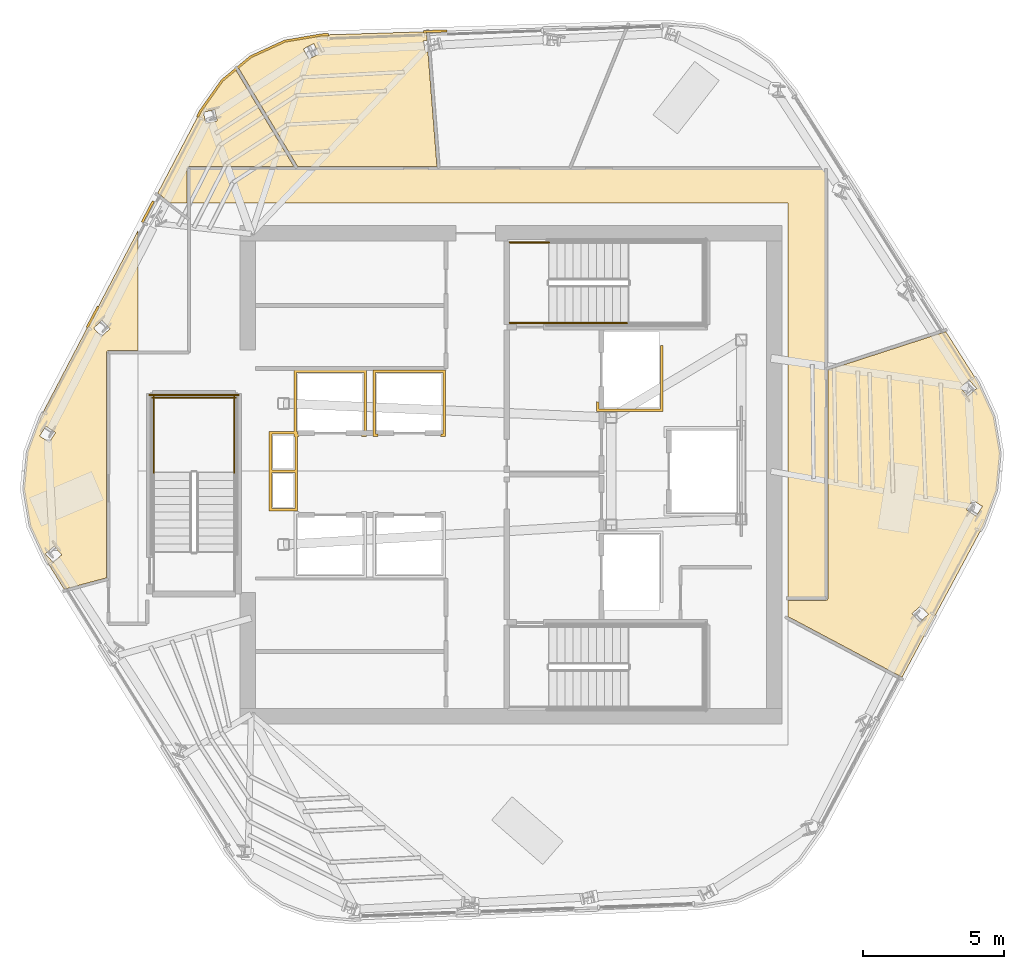
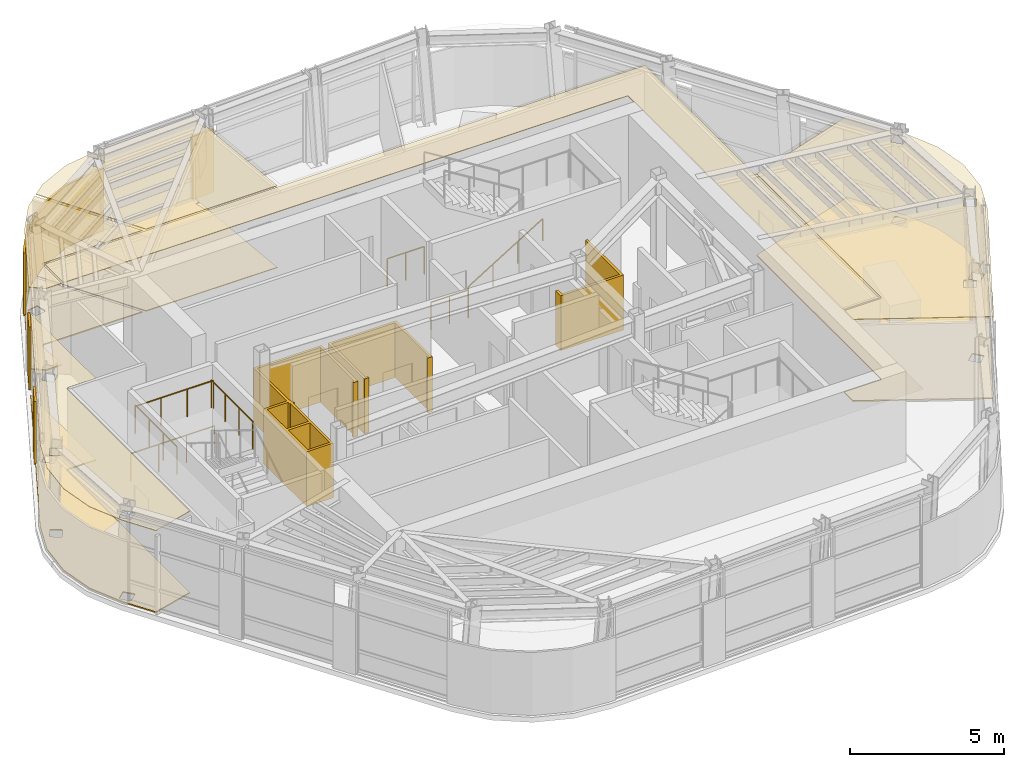
# One storey, part 11 of 13: 16 coverings, 7 railings.
"""IFC4 building model written with IfcOpenShell, lengths in metres."""

from ifc_helpers import new_model, si_unit, direction, frame, origin, origin_2d, place, context, subcontext, project, spatial, polyline, circle, outline, extrude, material, layer, layer_set, type_object, element, save


model = new_model("IFC4")

# Units and contexts
model_context = context("Model", 3, precision=1e-05, world=origin(), true_north=direction((0.0, 1.0)))
body_context = subcontext(model_context, "Body", "Model", "MODEL_VIEW")
ifc_project = project(units=[si_unit("LENGTHUNIT", "METRE"), si_unit("AREAUNIT", "SQUARE_METRE"), si_unit("VOLUMEUNIT", "CUBIC_METRE"), si_unit("PLANEANGLEUNIT", "RADIAN"), si_unit("MASSUNIT", "GRAM", prefix="KILO")], contexts=[model_context])

# Site, building, storey
site_placement = place(None, origin())
site = spatial("IfcSite", under=ifc_project, at=site_placement, CompositionType="ELEMENT")
building_placement = place(site_placement, origin())
building = spatial("IfcBuilding", under=site, at=building_placement, Name="Valkerne Bourse Tower", CompositionType="ELEMENT")
storey_placement = place(building_placement, frame((0.0, 0.0, 292.60009765625)))
storey = spatial("IfcBuildingStorey", under=building, at=storey_placement, Name="L74", CompositionType="ELEMENT", Elevation=292.60009765625)

# Coverings
ifc_material_1 = material(Name="Mineral Fiber Acoustic Ceiling Tile", Category="acoustic")
ifc_layer_1 = layer(ifc_material_1, 0.02490234375)
ifc_layer_set_1 = layer_set([ifc_layer_1], Name="Mineral Fiber Acoustic Ceiling Tile")
covering_type_1 = type_object("IfcCoveringType", Name="COV-CEIL-ACT", PredefinedType="CEILING", material=ifc_layer_set_1)
covering_1_placement = place(storey_placement, frame((0.0, 0.0, 3.25)))
element("IfcCovering", 1, at=covering_1_placement, inside=storey, type_object=covering_type_1, Name="L74 Suspended Ceiling 03", PredefinedType="CEILING", context=body_context, shape_type="SweptSolid", body=[
    extrude(outline(polyline([(40.10595703125, 42.443359375), (43.802734375, 42.560546875), (43.826416015625, 42.259521484375), (43.69091796875, 42.229248046875), (43.77978515625, 41.82958984375), (43.781982421875, 41.830078125), (43.85888671875, 41.847412109375), (44.17822265625, 37.7890625), (39.2470703125, 37.7890625), (37.14013671875, 41.29541015625), (37.595947265625, 41.672607421875), (38.7958984375, 42.2216796875), (40.10595703125, 42.443359375)]), holes=[polyline([(39.64208984375, 41.58837890625), (40.0029296875, 41.77392578125), (39.81591796875, 42.137939453125), (39.813720703125, 42.136962890625), (39.452880859375, 41.951416015625), (39.639892578125, 41.58740234375), (39.64208984375, 41.58837890625)])]), origin(), (0.0, 0.0, 1.0), 0.02490234375),
])
covering_2_placement = place(storey_placement, frame((0.0, 0.0, 3.25)))
element("IfcCovering", 2, at=covering_2_placement, inside=storey, type_object=covering_type_1, Name="L74 Suspended Ceiling 05", PredefinedType="CEILING", context=body_context, shape_type="SweptSolid", body=[
    extrude(outline(polyline([(29.561279296875, 26.367919921875), (29.685546875, 27.681640625), (30.14892578125, 28.927490234375), (33.60009765625, 35.524658203125), (33.60009765625, 31.26904296875), (32.54931640625, 31.26904296875), (32.50927734375, 31.255859375), (32.484619140625, 31.222900390625), (32.48095703125, 23.224365234375), (30.977783203125, 22.821533203125), (30.334716796875, 23.85791015625), (29.78125, 25.06689453125), (29.561279296875, 26.367919921875)]), holes=[polyline([(30.893798828125, 24.042236328125), (30.61962890625, 24.34521484375), (30.317626953125, 24.072998046875), (30.318115234375, 24.07080078125), (30.59228515625, 23.767578125), (30.894287109375, 24.039794921875), (30.893798828125, 24.042236328125)]), polyline([(30.674560546875, 28.36962890625), (30.33251953125, 28.58935546875), (30.11083984375, 28.24609375), (30.110595703125, 28.243896484375), (30.45263671875, 28.02392578125), (30.67431640625, 28.3671875), (30.674560546875, 28.36962890625)]), polyline([(32.6015625, 32.044677734375), (32.326416015625, 32.343994140625), (32.025146484375, 32.068115234375), (32.0244140625, 32.06591796875), (32.299560546875, 31.7666015625), (32.600830078125, 32.04248046875), (32.6015625, 32.044677734375)])]), origin(), (0.0, 0.0, 1.0), 0.02490234375),
])
covering_3_placement = place(storey_placement, frame((0.0, 0.0, 3.25)))
element("IfcCovering", 3, at=covering_3_placement, inside=storey, type_object=covering_type_1, Name="L74 Suspended Ceiling 07", PredefinedType="CEILING", context=body_context, shape_type="SweptSolid", body=[
    extrude(outline(polyline([(63.984619140625, 26.321044921875), (63.521240234375, 25.07568359375), (60.64404296875, 19.705810546875), (56.60009765625, 21.856201171875), (56.60009765625, 22.430908203125), (57.95361328125, 22.43115234375), (57.99609375, 22.4482421875), (58.018310546875, 22.489013671875), (58.01904296875, 30.583251953125), (62.196044921875, 31.9404296875), (63.33544921875, 30.143798828125), (63.888671875, 28.935791015625), (64.108642578125, 27.634765625), (63.984619140625, 26.321044921875)]), holes=[polyline([(61.57568359375, 21.93408203125), (61.300537109375, 22.2333984375), (60.9990234375, 21.95751953125), (60.998291015625, 21.955322265625), (61.273681640625, 21.656005859375), (61.574951171875, 21.931884765625), (61.57568359375, 21.93408203125)]), polyline([(63.489013671875, 25.75390625), (63.4892578125, 25.756103515625), (63.147216796875, 25.97607421875), (62.92578125, 25.6328125), (62.925537109375, 25.63037109375), (63.267578125, 25.41064453125), (63.489013671875, 25.75390625)]), polyline([(63.281982421875, 29.92919921875), (63.0078125, 30.232421875), (62.705810546875, 29.960205078125), (62.706298828125, 29.957763671875), (62.980224609375, 29.65478515625), (63.282470703125, 29.927001953125), (63.281982421875, 29.92919921875)])]), origin(), (0.0, 0.0, 1.0), 0.02490234375),
])
covering_4_placement = place(storey_placement, frame((0.0, 0.0, 3.25)))
element("IfcCovering", 4, at=covering_4_placement, inside=storey, type_object=covering_type_1, Name="L74 Suspended Ceiling 08", PredefinedType="CEILING", context=body_context, shape_type="SweptSolid", body=[
    extrude(outline(polyline([(37.04833984375, 41.21923828125), (39.109375, 37.7890625), (35.399658203125, 37.7890625), (35.370849609375, 37.78271484375), (35.341064453125, 37.756103515625), (35.3310546875, 37.720703125), (35.3310546875, 36.5), (34.736328125, 36.5), (34.2919921875, 36.84716796875), (35.8095703125, 39.748291015625), (36.579345703125, 40.831298828125), (37.04833984375, 41.21923828125)]), holes=[polyline([(36.3955078125, 39.395751953125), (36.397216796875, 39.397216796875), (36.311767578125, 39.794921875), (35.912109375, 39.709716796875), (35.910400390625, 39.708251953125), (35.995849609375, 39.310791015625), (36.3955078125, 39.395751953125)])]), origin(), (0.0, 0.0, 1.0), 0.02490234375),
])
ifc_material_2 = material(Name="Bronze Anodised Aluminium AA 6063-T6", Category="aluminium")
ifc_layer_2 = layer(ifc_material_2, 0.030029296875)
ifc_layer_set_2 = layer_set([ifc_layer_2], Name="Bronze Anodised Aluminium AA 6063-T6")
covering_type_2 = type_object("IfcCoveringType", Name="COV-CEIL-METAL", PredefinedType="CEILING", material=ifc_layer_set_2)
covering_5_placement = place(storey_placement, frame((0.0, 0.0, 3.25)))
element("IfcCovering", 5, at=covering_5_placement, inside=storey, type_object=covering_type_2, Name="L74 Suspended Ceiling 01", PredefinedType="CEILING", context=body_context, shape_type="SweptSolid", body=[
    extrude(outline(polyline([(35.404052734375, 37.716064453125), (57.946044921875, 37.716064453125), (57.946044921875, 22.50390625), (56.60009765625, 22.50390625), (56.60009765625, 36.5), (35.404052734375, 36.5), (35.404052734375, 37.716064453125)])), origin(), (0.0, 0.0, 1.0), 0.02490234375),
])
ifc_layer_3 = layer(ifc_material_2, 0.06005859375)
ifc_layer_set_3 = layer_set([ifc_layer_3], Name="Bronze Anodised Aluminium AA 6063-T6")
covering_type_3 = type_object("IfcCoveringType", Name="COV-CRN-ALUM", PredefinedType="CLADDING", material=ifc_layer_set_3)
covering_6_placement = place(storey_placement, origin())
element("IfcCovering", 6, at=covering_6_placement, inside=storey, type_object=covering_type_3, Name="L74 Wind-Shaped Corner Aluminium Cladding 11", PredefinedType="CLADDING", context=body_context, shape_type="SweptSolid", body=[
    extrude(outline(polyline([(32.150390625, 32.8486328125), (32.22119140625, 32.811279296875), (31.831787109375, 32.06689453125), (31.760986328125, 32.1044921875), (32.150390625, 32.8486328125)])), origin(), (0.0, 0.0, 1.0), 2.5),
])
covering_7_placement = place(storey_placement, origin())
element("IfcCovering", 7, at=covering_7_placement, inside=storey, type_object=covering_type_3, Name="L74 Wind-Shaped Corner Aluminium Cladding 12", PredefinedType="CLADDING", context=body_context, shape_type="SweptSolid", body=[
    extrude(outline(polyline([(34.10302734375, 36.5810546875), (34.173583984375, 36.543701171875), (33.7841796875, 35.79931640625), (33.713623046875, 35.836669921875), (34.10302734375, 36.5810546875)])), origin(), (0.0, 0.0, 1.0), 2.5),
])
covering_8_placement = place(storey_placement, origin())
element("IfcCovering", 8, at=covering_8_placement, inside=storey, type_object=covering_type_3, Name="L74 Wind-Shaped Corner Aluminium Cladding 13", PredefinedType="CLADDING", context=body_context, shape_type="SweptSolid", body=[
    extrude(outline(polyline([(35.77197265625, 39.771240234375), (36.546875, 40.861572265625), (37.572509765625, 41.710205078125), (38.78271484375, 42.26416015625), (40.1015625, 42.4873046875), (40.329833984375, 42.494384765625), (40.332763671875, 42.41455078125), (40.109619140625, 42.407470703125), (38.806396484375, 42.18701171875), (37.615234375, 41.6416015625), (36.60595703125, 40.806640625), (35.84033203125, 39.7294921875), (35.73681640625, 39.531494140625), (35.666015625, 39.56884765625), (35.77197265625, 39.771240234375)])), origin(), (0.0, 0.0, 1.0), 2.5),
])
covering_9_placement = place(storey_placement, origin())
element("IfcCovering", 9, at=covering_9_placement, inside=storey, type_object=covering_type_3, Name="L74 Wind-Shaped Corner Aluminium Cladding 14", PredefinedType="CLADDING", context=body_context, shape_type="SweptSolid", body=[
    extrude(outline(polyline([(44.539794921875, 42.6279296875), (44.542724609375, 42.5478515625), (43.703125, 42.521240234375), (43.7001953125, 42.601318359375), (44.539794921875, 42.6279296875)])), origin(), (0.0, 0.0, 1.0), 2.5),
])
ifc_material_3 = material(Name="Galvanised Painted Steel", Category="steel")
ifc_layer_4 = layer(ifc_material_3, 0.044921875)
ifc_layer_set_4 = layer_set([ifc_layer_4], Name="Galvanised Painted Steel")
covering_type_4 = type_object("IfcCoveringType", Name="COV-FLR-RAF", PredefinedType="FLOORING", material=ifc_layer_set_4)
covering_10_placement = place(storey_placement, origin())
element("IfcCovering", 10, at=covering_10_placement, inside=storey, type_object=covering_type_4, Name="L74 Floor Finish 05", PredefinedType="FLOORING", context=body_context, shape_type="SweptSolid", body=[
    extrude(outline(polyline([(29.561279296875, 26.367919921875), (29.685546875, 27.681640625), (30.14892578125, 28.927490234375), (33.60009765625, 35.524658203125), (33.60009765625, 31.26904296875), (32.54931640625, 31.26904296875), (32.50927734375, 31.255859375), (32.484619140625, 31.222900390625), (32.48095703125, 23.224365234375), (30.977783203125, 22.821533203125), (30.334716796875, 23.85791015625), (29.78125, 25.06689453125), (29.561279296875, 26.367919921875)]), holes=[polyline([(30.893798828125, 24.042236328125), (30.61962890625, 24.34521484375), (30.317626953125, 24.072998046875), (30.318115234375, 24.07080078125), (30.59228515625, 23.767578125), (30.894287109375, 24.039794921875), (30.893798828125, 24.042236328125)]), polyline([(30.674560546875, 28.36962890625), (30.33251953125, 28.58935546875), (30.11083984375, 28.24609375), (30.110595703125, 28.243896484375), (30.45263671875, 28.02392578125), (30.67431640625, 28.3671875), (30.674560546875, 28.36962890625)]), polyline([(32.6015625, 32.044677734375), (32.326416015625, 32.343994140625), (32.025146484375, 32.068115234375), (32.0244140625, 32.06591796875), (32.299560546875, 31.7666015625), (32.600830078125, 32.04248046875), (32.6015625, 32.044677734375)])]), origin(), (0.0, 0.0, 1.0), 0.044921875),
])
covering_11_placement = place(storey_placement, origin())
element("IfcCovering", 11, at=covering_11_placement, inside=storey, type_object=covering_type_4, Name="L74 Floor Finish 07", PredefinedType="FLOORING", context=body_context, shape_type="SweptSolid", body=[
    extrude(outline(polyline([(63.984619140625, 26.321044921875), (63.521240234375, 25.07568359375), (60.64404296875, 19.705810546875), (56.60009765625, 21.856201171875), (56.60009765625, 22.430908203125), (57.95361328125, 22.43115234375), (57.99609375, 22.4482421875), (58.018310546875, 22.489013671875), (58.01904296875, 30.583251953125), (62.196044921875, 31.9404296875), (63.33544921875, 30.143798828125), (63.888671875, 28.935791015625), (64.108642578125, 27.634765625), (63.984619140625, 26.321044921875)]), holes=[polyline([(61.57568359375, 21.93408203125), (61.300537109375, 22.2333984375), (60.9990234375, 21.95751953125), (60.998291015625, 21.955322265625), (61.273681640625, 21.656005859375), (61.574951171875, 21.931884765625), (61.57568359375, 21.93408203125)]), polyline([(63.489013671875, 25.75390625), (63.4892578125, 25.756103515625), (63.147216796875, 25.97607421875), (62.92578125, 25.6328125), (62.925537109375, 25.63037109375), (63.267578125, 25.41064453125), (63.489013671875, 25.75390625)]), polyline([(63.281982421875, 29.92919921875), (63.0078125, 30.232421875), (62.705810546875, 29.960205078125), (62.706298828125, 29.957763671875), (62.980224609375, 29.65478515625), (63.282470703125, 29.927001953125), (63.281982421875, 29.92919921875)])]), origin(), (0.0, 0.0, 1.0), 0.044921875),
])
covering_12_placement = place(storey_placement, origin())
element("IfcCovering", 12, at=covering_12_placement, inside=storey, type_object=covering_type_4, Name="L74 Floor Finish 08", PredefinedType="FLOORING", context=body_context, shape_type="SweptSolid", body=[
    extrude(outline(polyline([(37.04833984375, 41.21923828125), (39.109375, 37.7890625), (35.399658203125, 37.7890625), (35.370849609375, 37.78271484375), (35.341064453125, 37.756103515625), (35.3310546875, 37.720703125), (35.3310546875, 36.5), (34.736328125, 36.5), (34.2919921875, 36.84716796875), (35.8095703125, 39.748291015625), (36.579345703125, 40.831298828125), (37.04833984375, 41.21923828125)]), holes=[polyline([(36.3955078125, 39.395751953125), (36.397216796875, 39.397216796875), (36.311767578125, 39.794921875), (35.912109375, 39.709716796875), (35.910400390625, 39.708251953125), (35.995849609375, 39.310791015625), (36.3955078125, 39.395751953125)])]), origin(), (0.0, 0.0, 1.0), 0.044921875),
])
ifc_material_4 = material(Name="Polished Granite Stone", Category="masonry")
ifc_layer_5 = layer(ifc_material_4, 0.030029296875)
ifc_layer_set_5 = layer_set([ifc_layer_5], Name="Polished Granite Stone")
covering_type_5 = type_object("IfcCoveringType", Name="COV-FLR-TERRAZZO", PredefinedType="FLOORING", material=ifc_layer_set_5)
covering_13_placement = place(storey_placement, origin())
element("IfcCovering", 13, at=covering_13_placement, inside=storey, type_object=covering_type_5, Name="L74 Floor Finish 03", PredefinedType="FLOORING", context=body_context, shape_type="SweptSolid", body=[
    extrude(outline(polyline([(40.10595703125, 42.443359375), (43.802734375, 42.560546875), (43.826416015625, 42.259521484375), (43.69091796875, 42.229248046875), (43.77978515625, 41.82958984375), (43.781982421875, 41.830078125), (43.85888671875, 41.847412109375), (44.17822265625, 37.7890625), (39.2470703125, 37.7890625), (37.14013671875, 41.29541015625), (37.595947265625, 41.672607421875), (38.7958984375, 42.2216796875), (40.10595703125, 42.443359375)]), holes=[polyline([(39.64208984375, 41.58837890625), (40.0029296875, 41.77392578125), (39.81591796875, 42.137939453125), (39.813720703125, 42.136962890625), (39.452880859375, 41.951416015625), (39.639892578125, 41.58740234375), (39.64208984375, 41.58837890625)])]), origin(), (0.0, 0.0, 1.0), 0.02978515625),
])
ifc_material_5 = material(Name="Gypsum Shaftwall Liner Board", Category="gypsum")
ifc_layer_6 = layer(ifc_material_5, 0.080078125)
ifc_layer_set_6 = layer_set([ifc_layer_6], Name="Gypsum Shaftwall Liner Board")
covering_type_6 = type_object("IfcCoveringType", Name="COV-SHF-CLAD", PredefinedType="CLADDING", material=ifc_layer_set_6)
covering_14_placement = place(storey_placement, origin())
element("IfcCovering", 14, at=covering_14_placement, inside=storey, type_object=covering_type_6, Name="L74 Hoistway & Riser Shaftwall Liner 04", PredefinedType="CLADDING", context=body_context, shape_type="SweptSolid", body=[
    extrude(outline(polyline([(38.239990234375, 27.0400390625), (38.239990234375, 28.409912109375), (39.1201171875, 28.409912109375), (39.1201171875, 30.580078125), (41.679931640625, 30.580078125), (41.679931640625, 28.219970703125), (41.500732421875, 28.219970703125), (41.511474609375, 28.26220703125), (41.517822265625, 28.305908203125), (41.51806640625, 28.31005859375), (41.590087890625, 28.31005859375), (41.590087890625, 30.489990234375), (39.2099609375, 30.489990234375), (39.2099609375, 28.409912109375), (39.239990234375, 28.409912109375), (39.239990234375, 28.31005859375), (39.281982421875, 28.31005859375), (39.2822265625, 28.305908203125), (39.28857421875, 28.26220703125), (39.29931640625, 28.219970703125), (39.239990234375, 28.219970703125), (39.239990234375, 27.0400390625), (39.239990234375, 26.9599609375), (39.239990234375, 25.590087890625), (38.239990234375, 25.590087890625), (38.239990234375, 26.9599609375), (38.239990234375, 27.0400390625)]), holes=[polyline([(39.14990234375, 26.949951171875), (38.330078125, 26.949951171875), (38.330078125, 25.679931640625), (39.14990234375, 25.679931640625), (39.14990234375, 26.949951171875)]), polyline([(39.14990234375, 28.219970703125), (39.1201171875, 28.219970703125), (39.1201171875, 28.320068359375), (38.330078125, 28.320068359375), (38.330078125, 27.050048828125), (39.14990234375, 27.050048828125), (39.14990234375, 28.219970703125)])]), origin(), (0.0, 0.0, 1.0), 2.179931640625),
])
covering_15_placement = place(storey_placement, origin())
element("IfcCovering", 15, at=covering_15_placement, inside=storey, type_object=covering_type_6, Name="L74 Hoistway & Riser Shaftwall Liner 06", PredefinedType="CLADDING", context=body_context, shape_type="SweptSolid", body=[
    extrude(outline(polyline([(44.47998046875, 28.219970703125), (44.30078125, 28.219970703125), (44.311279296875, 28.26220703125), (44.31787109375, 28.305908203125), (44.318115234375, 28.31005859375), (44.389892578125, 28.31005859375), (44.389892578125, 30.489990234375), (42.010009765625, 30.489990234375), (42.010009765625, 28.31005859375), (42.08203125, 28.31005859375), (42.082275390625, 28.305908203125), (42.088623046875, 28.26220703125), (42.09912109375, 28.219970703125), (41.919921875, 28.219970703125), (41.919921875, 30.580078125), (44.47998046875, 30.580078125), (44.47998046875, 28.219970703125)])), origin(), (0.0, 0.0, 1.0), 2.179931640625),
])
covering_16_placement = place(storey_placement, origin())
element("IfcCovering", 16, at=covering_16_placement, inside=storey, type_object=covering_type_6, Name="L74 Hoistway & Riser Shaftwall Liner 07", PredefinedType="CLADDING", context=body_context, shape_type="SweptSolid", body=[
    extrude(outline(polyline([(49.820068359375, 29.1201171875), (49.820068359375, 29.468017578125), (49.827880859375, 29.46435546875), (49.869384765625, 29.449462890625), (49.909912109375, 29.439208984375), (49.909912109375, 29.2099609375), (52.090087890625, 29.2099609375), (52.090087890625, 31.449951171875), (52.179931640625, 31.449951171875), (52.179931640625, 29.1201171875), (49.820068359375, 29.1201171875)])), origin(), (0.0, 0.0, 1.0), 2.179931640625),
])

# Railings
railing_type_1 = type_object("IfcRailingType", Name="RLG-ST-GUARD-1120", PredefinedType="GUARDRAIL", material=ifc_material_3)
for number, where, name in (
    (17, (46.75, 32.25, 0.0), "L74 ST-2 stair guard 8"),
    (18, (46.75, 35.10009765625, 0.0), "L74 ST-2 stair guard 9"),
):
    element("IfcRailing", number, at=place(storey_placement, frame(where)), inside=storey, type_object=railing_type_1, Name=name, PredefinedType="GUARDRAIL", context=body_context, shape_type="SweptSolid", body=[
        extrude(circle(Radius=0.02392578125, at=origin_2d()), frame((0.0, 0.0, 1.09619140625), z_axis=(1.0, 0.0, 0.0), x_axis=(0.0, 1.0, 0.0)), (0.0, 0.0, 1.0), 1.39990234375),
        extrude(circle(Radius=0.02099609375, at=origin_2d()), origin(), (0.0, 0.0, 1.0), 1.072021484375),
        extrude(circle(Radius=0.02099609375, at=origin_2d()), frame((0.699951171875, 0.0, 0.0)), (0.0, 0.0, 1.0), 1.072021484375),
        extrude(circle(Radius=0.02099609375, at=origin_2d()), frame((1.39990234375, 0.0, 0.0)), (0.0, 0.0, 1.0), 1.072021484375),
    ])
for number, where, name in (
    (19, (37.0, 26.949951171875, 1.89990234375), "L74 ST-3 stair guard 3"),
    (20, (34.14990234375, 26.949951171875, 1.89990234375), "L74 ST-3 stair guard 4"),
):
    element("IfcRailing", number, at=place(storey_placement, frame(where)), inside=storey, type_object=railing_type_1, Name=name, PredefinedType="GUARDRAIL", context=body_context, shape_type="SweptSolid", body=[
        extrude(circle(Radius=0.02392578125, at=origin_2d()), frame((0.0, 0.0, 1.09619140625), z_axis=(0.0, 1.0, 0.0), x_axis=(-1.0, 0.0, 0.0)), (0.0, 0.0, 1.0), 2.699951171875),
        extrude(circle(Radius=0.02099609375, at=origin_2d()), origin(), (0.0, 0.0, 1.0), 1.072021484375),
        extrude(circle(Radius=0.02099609375, at=origin_2d()), frame((0.0, 0.89990234375, 0.0)), (0.0, 0.0, 1.0), 1.072021484375),
        extrude(circle(Radius=0.02099609375, at=origin_2d()), frame((0.0, 1.800048828125, 0.0)), (0.0, 0.0, 1.0), 1.072021484375),
        extrude(circle(Radius=0.02099609375, at=origin_2d()), frame((0.0, 2.699951171875, 0.0)), (0.0, 0.0, 1.0), 1.072021484375),
    ])
railing_1_placement = place(storey_placement, frame((37.050048828125, 29.60009765625, 1.89990234375)))
element("IfcRailing", 21, at=railing_1_placement, inside=storey, type_object=railing_type_1, Name="L74 ST-3 stair guard 5", PredefinedType="GUARDRAIL", context=body_context, shape_type="SweptSolid", body=[
    extrude(circle(Radius=0.02392578125, at=origin_2d()), frame((0.0, 0.0, 1.09619140625), z_axis=(-1.0, 0.0, 0.0), x_axis=(0.0, -1.0, 0.0)), (0.0, 0.0, 1.0), 2.949951171875),
    extrude(circle(Radius=0.02099609375, at=origin_2d()), origin(), (0.0, 0.0, 1.0), 1.072021484375),
    extrude(circle(Radius=0.02099609375, at=origin_2d()), frame((-0.9833984375, 0.0, 0.0)), (0.0, 0.0, 1.0), 1.072021484375),
    extrude(circle(Radius=0.02099609375, at=origin_2d()), frame((-1.966552734375, 0.0, 0.0)), (0.0, 0.0, 1.0), 1.072021484375),
    extrude(circle(Radius=0.02099609375, at=origin_2d()), frame((-2.949951171875, 0.0, 0.0)), (0.0, 0.0, 1.0), 1.072021484375),
])
railing_2_placement = place(storey_placement, frame((37.14990234375, 29.699951171875, 0.0)))
element("IfcRailing", 22, at=railing_2_placement, inside=storey, type_object=railing_type_1, Name="L74 ST-3 stair guard 12", PredefinedType="GUARDRAIL", context=body_context, shape_type="SweptSolid", body=[
    extrude(circle(Radius=0.02392578125, at=origin_2d()), frame((0.0, 0.0, 1.09619140625), z_axis=(-1.0, 0.0, 0.0), x_axis=(0.0, -1.0, 0.0)), (0.0, 0.0, 1.0), 3.14990234375),
    extrude(circle(Radius=0.02099609375, at=origin_2d()), origin(), (0.0, 0.0, 1.0), 1.072021484375),
    extrude(circle(Radius=0.02099609375, at=origin_2d()), frame((-1.050048828125, 0.0, 0.0)), (0.0, 0.0, 1.0), 1.072021484375),
    extrude(circle(Radius=0.02099609375, at=origin_2d()), frame((-2.099853515625, 0.0, 0.0)), (0.0, 0.0, 1.0), 1.072021484375),
    extrude(circle(Radius=0.02099609375, at=origin_2d()), frame((-3.14990234375, 0.0, 0.0)), (0.0, 0.0, 1.0), 1.072021484375),
])
ifc_material_6 = material(Name="Stainless Steel AISI 316", Category="steel")
railing_type_2 = type_object("IfcRailingType", Name="RLG-ST-HANDRAIL-900", PredefinedType="HANDRAIL", material=ifc_material_6)
railing_3_placement = place(storey_placement, frame((48.14990234375, 32.25, 0.345458984375)))
element("IfcRailing", 23, at=railing_3_placement, inside=storey, type_object=railing_type_2, Name="L74 ST-2 stair handrail 1", PredefinedType="HANDRAIL", context=body_context, shape_type="SweptSolid", body=[
    extrude(circle(Radius=0.02392578125, at=origin_2d()), frame((0.0, 0.0, 0.8759765625), z_axis=(0.851122791225, 0.0, 0.524966660138), x_axis=(0.0, 1.0, 0.0)), (0.0, 0.0, 1.0), 3.289794921875),
    extrude(circle(Radius=0.02099609375, at=origin_2d()), origin(), (0.0, 0.0, 1.0), 0.851806640625),
    extrude(circle(Radius=0.02099609375, at=origin_2d()), frame((0.933349609375, 0.0, 0.57568359375)), (0.0, 0.0, 1.0), 0.851806640625),
    extrude(circle(Radius=0.02099609375, at=origin_2d()), frame((1.86669921875, 0.0, 1.1513671875)), (0.0, 0.0, 1.0), 0.851806640625),
    extrude(circle(Radius=0.02099609375, at=origin_2d()), frame((2.800048828125, 0.0, 1.72705078125)), (0.0, 0.0, 1.0), 0.851806640625),
])

save(model, "model.ifc")
